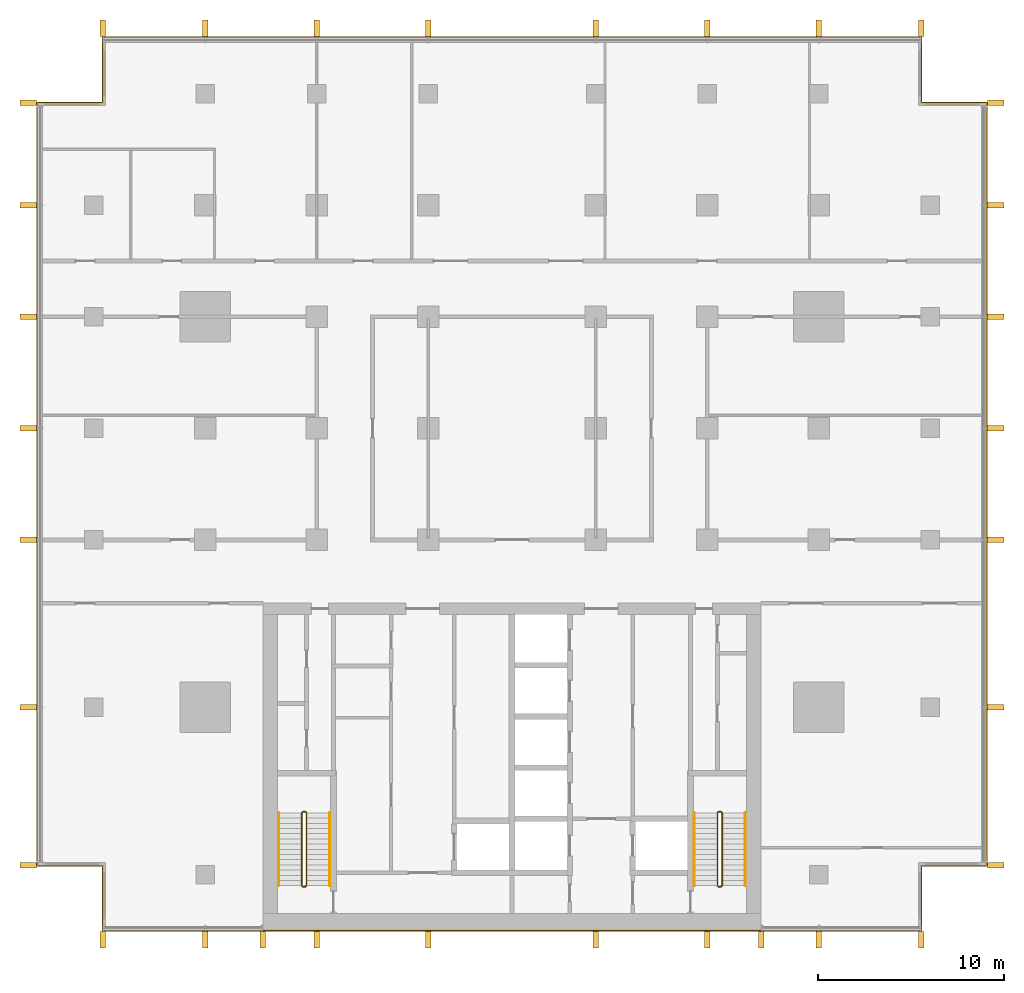
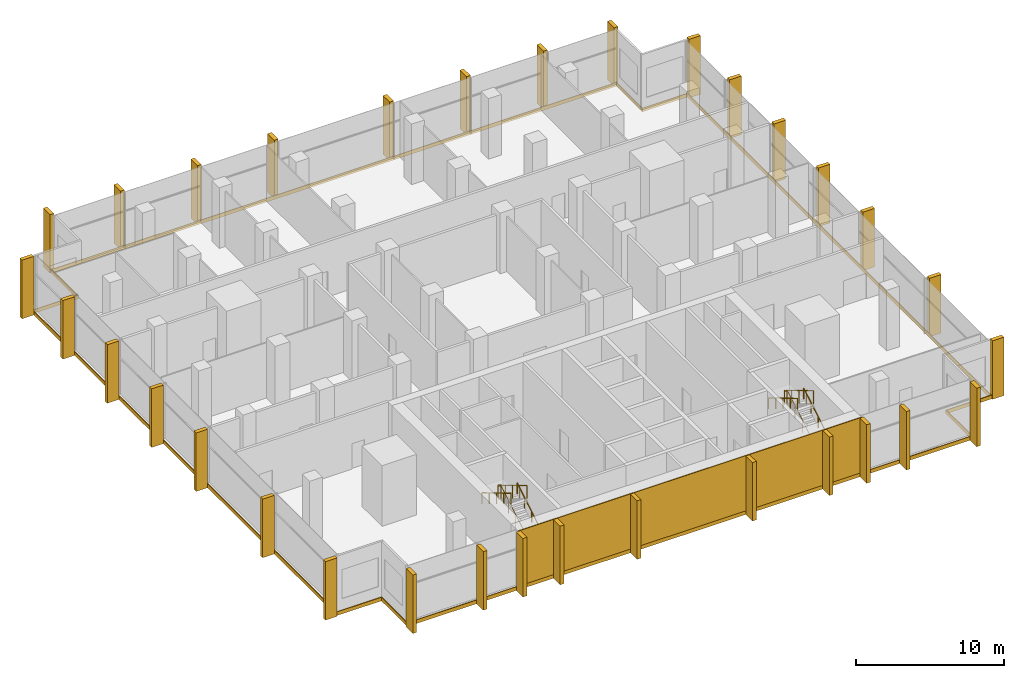
# One storey, part 15 of 15: 32 shading devices, 6 coverings, 6 railings.
"""IFC4 building model written with IfcOpenShell, lengths in metres."""

from ifc_helpers import new_model, si_unit, direction, frame, origin, origin_2d, place, context, subcontext, project, spatial, polyline, rectangle, circle, outline, extrude, material, layer, layer_set, type_object, element, save


model = new_model("IFC4")

# Units and contexts
model_context = context("Model", 3, precision=1e-05, world=origin(), true_north=direction((0.0, 1.0)))
body_context = subcontext(model_context, "Body", "Model", "MODEL_VIEW")
ifc_project = project(units=[si_unit("LENGTHUNIT", "METRE"), si_unit("AREAUNIT", "SQUARE_METRE"), si_unit("VOLUMEUNIT", "CUBIC_METRE"), si_unit("PLANEANGLEUNIT", "RADIAN"), si_unit("MASSUNIT", "GRAM", prefix="KILO")], contexts=[model_context])

# Site, building, storey
site_placement = place(None, origin())
site = spatial("IfcSite", under=ifc_project, at=site_placement, CompositionType="ELEMENT")
building_placement = place(site_placement, origin())
building = spatial("IfcBuilding", under=site, at=building_placement, Name="Finial Court Residences", CompositionType="ELEMENT")
storey_placement = place(building_placement, frame((0.0, 0.0, 138.89990234375)))
storey = spatial("IfcBuildingStorey", under=building, at=storey_placement, Name="L34", CompositionType="ELEMENT", Elevation=138.89990234375)

# Coverings
ifc_material_1 = material(Name="Natural limestone", Category="masonry")
ifc_layer_1 = layer(ifc_material_1, 0.06005859375)
ifc_layer_set_1 = layer_set([ifc_layer_1], Name="Limestone cladding to the blind core face 60")
covering_type_1 = type_object("IfcCoveringType", Name="Limestone cladding to the blind core face 60", PredefinedType="CLADDING", material=ifc_layer_set_1)
covering_1_placement = place(storey_placement, origin())
element("IfcCovering", 1, at=covering_1_placement, inside=storey, type_object=covering_type_1, Name="E-L34-CLAD1", PredefinedType="CLADDING", context=body_context, shape_type="SweptSolid", body=[
    extrude(outline(polyline([(-10.5, -25.56005859375), (-10.5, -25.5), (-13.39990234375, -25.5), (-13.39990234375, -25.56005859375), (-10.5, -25.56005859375)])), origin(), (0.0, 0.0, 1.0), 4.550048828125),
])
covering_2_placement = place(storey_placement, origin())
element("IfcCovering", 2, at=covering_2_placement, inside=storey, type_object=covering_type_1, Name="E-L34-CLAD2", PredefinedType="CLADDING", context=body_context, shape_type="SweptSolid", body=[
    extrude(outline(polyline([(-4.5, -25.56005859375), (-4.5, -25.5), (-10.5, -25.5), (-10.5, -25.56005859375), (-4.5, -25.56005859375)])), origin(), (0.0, 0.0, 1.0), 4.550048828125),
])
covering_3_placement = place(storey_placement, origin())
element("IfcCovering", 3, at=covering_3_placement, inside=storey, type_object=covering_type_1, Name="E-L34-CLAD3", PredefinedType="CLADDING", context=body_context, shape_type="SweptSolid", body=[
    extrude(outline(polyline([(4.5, -25.56005859375), (4.5, -25.5), (-4.5, -25.5), (-4.5, -25.56005859375), (4.5, -25.56005859375)])), origin(), (0.0, 0.0, 1.0), 4.550048828125),
])
covering_4_placement = place(storey_placement, origin())
element("IfcCovering", 4, at=covering_4_placement, inside=storey, type_object=covering_type_1, Name="E-L34-CLAD4", PredefinedType="CLADDING", context=body_context, shape_type="SweptSolid", body=[
    extrude(outline(polyline([(10.5, -25.56005859375), (10.5, -25.5), (4.5, -25.5), (4.5, -25.56005859375), (10.5, -25.56005859375)])), origin(), (0.0, 0.0, 1.0), 4.550048828125),
])
covering_5_placement = place(storey_placement, origin())
element("IfcCovering", 5, at=covering_5_placement, inside=storey, type_object=covering_type_1, Name="E-L34-CLAD5", PredefinedType="CLADDING", context=body_context, shape_type="SweptSolid", body=[
    extrude(outline(polyline([(13.39990234375, -25.56005859375), (13.39990234375, -25.5), (10.5, -25.5), (10.5, -25.56005859375), (13.39990234375, -25.56005859375)])), origin(), (0.0, 0.0, 1.0), 4.550048828125),
])

# Shading devices
shading_device_type = type_object("IfcShadingDeviceType", Name="Limestone fin 300 x 900", PredefinedType="USERDEFINED", material=ifc_material_1)
for number, where, z_axis, x_axis, name in (
    (6, (-22.0, 23.010009765625, -0.300048828125), (0.0, 0.0, 1.0), (1.0, 0.0, 0.0), "E-L34-FIN-N1"),
    (7, (-16.5, 23.010009765625, -0.300048828125), (0.0, 0.0, 1.0), (1.0, 0.0, 0.0), "E-L34-FIN-N2"),
    (8, (-10.5, 23.010009765625, -0.300048828125), (0.0, 0.0, 1.0), (1.0, 0.0, 0.0), "E-L34-FIN-N3"),
    (9, (-4.5, 23.010009765625, -0.300048828125), (0.0, 0.0, 1.0), (1.0, 0.0, 0.0), "E-L34-FIN-N4"),
    (10, (4.5, 23.010009765625, -0.300048828125), (0.0, 0.0, 1.0), (1.0, 0.0, 0.0), "E-L34-FIN-N5"),
    (11, (10.5, 23.010009765625, -0.300048828125), (0.0, 0.0, 1.0), (1.0, 0.0, 0.0), "E-L34-FIN-N6"),
    (12, (16.5, 23.010009765625, -0.300048828125), (0.0, 0.0, 1.0), (1.0, 0.0, 0.0), "E-L34-FIN-N7"),
    (13, (22.0, 23.010009765625, -0.300048828125), (0.0, 0.0, 1.0), (1.0, 0.0, 0.0), "E-L34-FIN-N8"),
):
    element("IfcShadingDevice", number, at=place(storey_placement, frame(where, z_axis=z_axis, x_axis=x_axis)), inside=storey, type_object=shading_device_type, Name=name, ObjectType="FIN", PredefinedType="USERDEFINED", context=body_context, shape_type="SweptSolid", body=[
        extrude(rectangle(XDim=0.300048828125, YDim=0.89990234375, at=origin_2d()), origin(), (0.0, 0.0, 1.0), 4.830078125),
    ])
for number, where, z_axis, x_axis, name in (
    (14, (26.010009765625, -22.0, -0.300048828125), (0.0, 0.0, 1.0), (1.0, 0.0, 0.0), "E-L34-FIN-E9"),
    (15, (26.010009765625, -13.5, -0.300048828125), (0.0, 0.0, 1.0), (1.0, 0.0, 0.0), "E-L34-FIN-E10"),
    (16, (26.010009765625, -4.5, -0.300048828125), (0.0, 0.0, 1.0), (1.0, 0.0, 0.0), "E-L34-FIN-E11"),
    (17, (26.010009765625, 1.5, -0.300048828125), (0.0, 0.0, 1.0), (1.0, 0.0, 0.0), "E-L34-FIN-E12"),
    (18, (26.010009765625, 7.5, -0.300048828125), (0.0, 0.0, 1.0), (1.0, 0.0, 0.0), "E-L34-FIN-E13"),
    (19, (26.010009765625, 13.5, -0.300048828125), (0.0, 0.0, 1.0), (1.0, 0.0, 0.0), "E-L34-FIN-E14"),
    (20, (26.010009765625, 19.0, -0.300048828125), (0.0, 0.0, 1.0), (1.0, 0.0, 0.0), "E-L34-FIN-E15"),
):
    element("IfcShadingDevice", number, at=place(storey_placement, frame(where, z_axis=z_axis, x_axis=x_axis)), inside=storey, type_object=shading_device_type, Name=name, ObjectType="FIN", PredefinedType="USERDEFINED", context=body_context, shape_type="SweptSolid", body=[
        extrude(rectangle(XDim=0.89990234375, YDim=0.300048828125, at=origin_2d()), origin(), (0.0, 0.0, 1.0), 4.830078125),
    ])
for number, where, z_axis, x_axis, name in (
    (21, (-22.0, -26.010009765625, -0.300048828125), (0.0, 0.0, 1.0), (1.0, 0.0, 0.0), "E-L34-FIN-S16"),
    (22, (-16.5, -26.010009765625, -0.300048828125), (0.0, 0.0, 1.0), (1.0, 0.0, 0.0), "E-L34-FIN-S17"),
    (23, (-13.39990234375, -26.010009765625, -0.300048828125), (0.0, 0.0, 1.0), (1.0, 0.0, 0.0), "E-L34-FIN-S18"),
    (24, (-10.5, -26.010009765625, -0.300048828125), (0.0, 0.0, 1.0), (1.0, 0.0, 0.0), "E-L34-FIN-S19"),
    (25, (-4.5, -26.010009765625, -0.300048828125), (0.0, 0.0, 1.0), (1.0, 0.0, 0.0), "E-L34-FIN-S20"),
    (26, (4.5, -26.010009765625, -0.300048828125), (0.0, 0.0, 1.0), (1.0, 0.0, 0.0), "E-L34-FIN-S21"),
    (27, (10.5, -26.010009765625, -0.300048828125), (0.0, 0.0, 1.0), (1.0, 0.0, 0.0), "E-L34-FIN-S22"),
    (28, (13.39990234375, -26.010009765625, -0.300048828125), (0.0, 0.0, 1.0), (1.0, 0.0, 0.0), "E-L34-FIN-S23"),
    (29, (16.5, -26.010009765625, -0.300048828125), (0.0, 0.0, 1.0), (1.0, 0.0, 0.0), "E-L34-FIN-S24"),
    (30, (22.0, -26.010009765625, -0.300048828125), (0.0, 0.0, 1.0), (1.0, 0.0, 0.0), "E-L34-FIN-S25"),
):
    element("IfcShadingDevice", number, at=place(storey_placement, frame(where, z_axis=z_axis, x_axis=x_axis)), inside=storey, type_object=shading_device_type, Name=name, ObjectType="FIN", PredefinedType="USERDEFINED", context=body_context, shape_type="SweptSolid", body=[
        extrude(rectangle(XDim=0.300048828125, YDim=0.89990234375, at=origin_2d()), origin(), (0.0, 0.0, 1.0), 4.830078125),
    ])
for number, where, z_axis, x_axis, name in (
    (31, (-26.010009765625, -22.0, -0.300048828125), (0.0, 0.0, 1.0), (1.0, 0.0, 0.0), "E-L34-FIN-W26"),
    (32, (-26.010009765625, -13.5, -0.300048828125), (0.0, 0.0, 1.0), (1.0, 0.0, 0.0), "E-L34-FIN-W27"),
    (33, (-26.010009765625, -4.5, -0.300048828125), (0.0, 0.0, 1.0), (1.0, 0.0, 0.0), "E-L34-FIN-W28"),
    (34, (-26.010009765625, 1.5, -0.300048828125), (0.0, 0.0, 1.0), (1.0, 0.0, 0.0), "E-L34-FIN-W29"),
    (35, (-26.010009765625, 7.5, -0.300048828125), (0.0, 0.0, 1.0), (1.0, 0.0, 0.0), "E-L34-FIN-W30"),
    (36, (-26.010009765625, 13.5, -0.300048828125), (0.0, 0.0, 1.0), (1.0, 0.0, 0.0), "E-L34-FIN-W31"),
    (37, (-26.010009765625, 19.0, -0.300048828125), (0.0, 0.0, 1.0), (1.0, 0.0, 0.0), "E-L34-FIN-W32"),
):
    element("IfcShadingDevice", number, at=place(storey_placement, frame(where, z_axis=z_axis, x_axis=x_axis)), inside=storey, type_object=shading_device_type, Name=name, ObjectType="FIN", PredefinedType="USERDEFINED", context=body_context, shape_type="SweptSolid", body=[
        extrude(rectangle(XDim=0.89990234375, YDim=0.300048828125, at=origin_2d()), origin(), (0.0, 0.0, 1.0), 4.830078125),
    ])

# Covering
ifc_material_2 = material(Name="Pale limestone", Category="masonry")
ifc_layer_2 = layer(ifc_material_2, 0.06005859375)
ifc_layer_set_2 = layer_set([ifc_layer_2], Name="Pale limestone slab-edge band 60")
covering_type_2 = type_object("IfcCoveringType", Name="Pale limestone slab-edge band 60", PredefinedType="CLADDING", material=ifc_layer_set_2)
covering_6_placement = place(storey_placement, frame((0.0, 0.0, -0.2998046875)))
element("IfcCovering", 38, at=covering_6_placement, inside=storey, type_object=covering_type_2, Name="E-L34-BAND1", PredefinedType="CLADDING", context=body_context, shape_type="SweptSolid", body=[
    extrude(outline(polyline([(22.06005859375, -25.56005859375), (-22.06005859375, -25.56005859375), (-22.06005859375, -22.06005859375), (-25.56005859375, -22.06005859375), (-25.56005859375, 19.06005859375), (-22.06005859375, 19.06005859375), (-22.06005859375, 22.56005859375), (22.06005859375, 22.56005859375), (22.06005859375, 19.06005859375), (25.56005859375, 19.06005859375), (25.56005859375, -22.06005859375), (22.06005859375, -22.06005859375), (22.06005859375, -25.56005859375)]), holes=[polyline([(25.5, -22.0), (25.5, 19.0), (22.0, 19.0), (22.0, 22.5), (-22.0, 22.5), (-22.0, 19.0), (-25.5, 19.0), (-25.5, -22.0), (-22.0, -22.0), (-22.0, -25.5), (22.0, -25.5), (22.0, -22.0), (25.5, -22.0)])]), origin(), (0.0, 0.0, 1.0), 0.2998046875),
])

# Railings
ifc_material_3 = material(Name="Stainless steel railing", Category="steel")
railing_type_1 = type_object("IfcRailingType", Name="Stair guard 1100", PredefinedType="GUARDRAIL", material=ifc_material_3)
railing_1_placement = place(storey_placement, frame((-11.10009765625, -23.14990234375, 0.0)))
element("IfcRailing", 39, at=railing_1_placement, inside=storey, type_object=railing_type_1, Name="L34 ST-1 stair guard 1", PredefinedType="GUARDRAIL", context=body_context, shape_type="SweptSolid", body=[
    extrude(circle(Radius=0.02392578125, at=origin_2d()), frame((0.0, 0.0, 1.076171875), z_axis=(-1.0, 0.0, 0.0), x_axis=(0.0, -1.0, 0.0)), (0.0, 0.0, 1.0), 0.14990234375),
    extrude(circle(Radius=0.02392578125, at=origin_2d()), frame((-0.14990234375, 0.0, 1.076171875), z_axis=(0.754313153044, 0.1878875253, 0.629054802844), x_axis=(-0.241699205484, 0.970351222016, 0.0)), (0.0, 0.0, 1.0), 0.26513671875),
    extrude(circle(Radius=0.02392578125, at=origin_2d()), frame((0.050048828125, 0.0498046875, 1.24267578125), z_axis=(0.0, 0.859310244771, 0.511454693235), x_axis=(-1.0, 0.0, 0.0)), (0.0, 0.0, 1.0), 4.56201171875),
    extrude(circle(Radius=0.02392578125, at=origin_2d()), frame((0.050048828125, 3.969970703125, 3.576171875), z_axis=(-0.707106781187, 0.707106781187, 0.0), x_axis=(-0.707106781187, -0.707106781187, 0.0)), (0.0, 0.0, 1.0), 0.07080078125),
    extrude(circle(Radius=0.02392578125, at=origin_2d()), frame((0.0, 4.02001953125, 3.576171875), z_axis=(-1.0, 0.0, 0.0), x_axis=(0.0, -1.0, 0.0)), (0.0, 0.0, 1.0), 0.14990234375),
    extrude(circle(Radius=0.02392578125, at=origin_2d()), frame((-0.14990234375, 4.02001953125, 3.576171875), z_axis=(-0.27628659633, -0.27628659633, 0.920506074601), x_axis=(0.707106781187, -0.707106781187, 0.0)), (0.0, 0.0, 1.0), 0.18115234375),
    extrude(circle(Radius=0.02392578125, at=origin_2d()), frame((-0.199951171875, 3.969970703125, 3.74267578125), z_axis=(0.0, -0.859310244771, 0.511454693235), x_axis=(1.0, 0.0, 0.0)), (0.0, 0.0, 1.0), 4.56201171875),
    extrude(circle(Radius=0.02099609375, at=origin_2d()), origin(), (0.0, 0.0, 1.0), 1.052001953125),
    extrude(circle(Radius=0.02099609375, at=origin_2d()), frame((-0.14990234375, 0.0, 0.0)), (0.0, 0.0, 1.0), 1.052001953125),
    extrude(circle(Radius=0.02099609375, at=origin_2d()), frame((0.050048828125, 0.0498046875, 0.166748046875)), (0.0, 0.0, 1.0), 1.052001953125),
    extrude(circle(Radius=0.02099609375, at=origin_2d()), frame((0.050048828125, 1.02978515625, 0.75)), (0.0, 0.0, 1.0), 1.052001953125),
    extrude(circle(Radius=0.02099609375, at=origin_2d()), frame((0.050048828125, 2.009765625, 1.33349609375)), (0.0, 0.0, 1.0), 1.052001953125),
    extrude(circle(Radius=0.02099609375, at=origin_2d()), frame((0.050048828125, 2.989990234375, 1.916748046875)), (0.0, 0.0, 1.0), 1.052001953125),
    extrude(circle(Radius=0.02099609375, at=origin_2d()), frame((0.050048828125, 3.969970703125, 2.5)), (0.0, 0.0, 1.0), 1.052001953125),
    extrude(circle(Radius=0.02099609375, at=origin_2d()), frame((0.0, 4.02001953125, 2.5)), (0.0, 0.0, 1.0), 1.052001953125),
    extrude(circle(Radius=0.02099609375, at=origin_2d()), frame((-0.14990234375, 4.02001953125, 2.5)), (0.0, 0.0, 1.0), 1.052001953125),
    extrude(circle(Radius=0.02099609375, at=origin_2d()), frame((-0.199951171875, 3.969970703125, 2.666748046875)), (0.0, 0.0, 1.0), 1.052001953125),
    extrude(circle(Radius=0.02099609375, at=origin_2d()), frame((-0.199951171875, 2.989990234375, 3.25)), (0.0, 0.0, 1.0), 1.052001953125),
    extrude(circle(Radius=0.02099609375, at=origin_2d()), frame((-0.199951171875, 2.009765625, 3.83349609375)), (0.0, 0.0, 1.0), 1.052001953125),
    extrude(circle(Radius=0.02099609375, at=origin_2d()), frame((-0.199951171875, 1.02978515625, 4.416748046875)), (0.0, 0.0, 1.0), 1.052001953125),
    extrude(circle(Radius=0.02099609375, at=origin_2d()), frame((-0.199951171875, 0.0498046875, 5.0)), (0.0, 0.0, 1.0), 1.052001953125),
])
railing_2_placement = place(storey_placement, frame((11.25, -23.14990234375, 0.0)))
element("IfcRailing", 40, at=railing_2_placement, inside=storey, type_object=railing_type_1, Name="L34 ST-2 stair guard 1", PredefinedType="GUARDRAIL", context=body_context, shape_type="SweptSolid", body=[
    extrude(circle(Radius=0.02392578125, at=origin_2d()), frame((0.0, 0.0, 1.076171875), z_axis=(-1.0, 0.0, 0.0), x_axis=(0.0, -1.0, 0.0)), (0.0, 0.0, 1.0), 0.14990234375),
    extrude(circle(Radius=0.02392578125, at=origin_2d()), frame((-0.14990234375, 0.0, 1.076171875), z_axis=(0.754313153044, 0.1878875253, 0.629054802844), x_axis=(-0.241699205484, 0.970351222016, 0.0)), (0.0, 0.0, 1.0), 0.26513671875),
    extrude(circle(Radius=0.02392578125, at=origin_2d()), frame((0.050048828125, 0.0498046875, 1.24267578125), z_axis=(0.0, 0.859310244771, 0.511454693235), x_axis=(-1.0, 0.0, 0.0)), (0.0, 0.0, 1.0), 4.56201171875),
    extrude(circle(Radius=0.02392578125, at=origin_2d()), frame((0.050048828125, 3.969970703125, 3.576171875), z_axis=(-0.707106781187, 0.707106781187, 0.0), x_axis=(-0.707106781187, -0.707106781187, 0.0)), (0.0, 0.0, 1.0), 0.07080078125),
    extrude(circle(Radius=0.02392578125, at=origin_2d()), frame((0.0, 4.02001953125, 3.576171875), z_axis=(-1.0, 0.0, 0.0), x_axis=(0.0, -1.0, 0.0)), (0.0, 0.0, 1.0), 0.14990234375),
    extrude(circle(Radius=0.02392578125, at=origin_2d()), frame((-0.14990234375, 4.02001953125, 3.576171875), z_axis=(-0.27628659633, -0.27628659633, 0.920506074601), x_axis=(0.707106781187, -0.707106781187, 0.0)), (0.0, 0.0, 1.0), 0.18115234375),
    extrude(circle(Radius=0.02392578125, at=origin_2d()), frame((-0.199951171875, 3.969970703125, 3.74267578125), z_axis=(0.0, -0.859310244771, 0.511454693235), x_axis=(1.0, 0.0, 0.0)), (0.0, 0.0, 1.0), 4.56201171875),
    extrude(circle(Radius=0.02099609375, at=origin_2d()), origin(), (0.0, 0.0, 1.0), 1.052001953125),
    extrude(circle(Radius=0.02099609375, at=origin_2d()), frame((-0.14990234375, 0.0, 0.0)), (0.0, 0.0, 1.0), 1.052001953125),
    extrude(circle(Radius=0.02099609375, at=origin_2d()), frame((0.050048828125, 0.0498046875, 0.166748046875)), (0.0, 0.0, 1.0), 1.052001953125),
    extrude(circle(Radius=0.02099609375, at=origin_2d()), frame((0.050048828125, 1.02978515625, 0.75)), (0.0, 0.0, 1.0), 1.052001953125),
    extrude(circle(Radius=0.02099609375, at=origin_2d()), frame((0.050048828125, 2.009765625, 1.33349609375)), (0.0, 0.0, 1.0), 1.052001953125),
    extrude(circle(Radius=0.02099609375, at=origin_2d()), frame((0.050048828125, 2.989990234375, 1.916748046875)), (0.0, 0.0, 1.0), 1.052001953125),
    extrude(circle(Radius=0.02099609375, at=origin_2d()), frame((0.050048828125, 3.969970703125, 2.5)), (0.0, 0.0, 1.0), 1.052001953125),
    extrude(circle(Radius=0.02099609375, at=origin_2d()), frame((0.0, 4.02001953125, 2.5)), (0.0, 0.0, 1.0), 1.052001953125),
    extrude(circle(Radius=0.02099609375, at=origin_2d()), frame((-0.14990234375, 4.02001953125, 2.5)), (0.0, 0.0, 1.0), 1.052001953125),
    extrude(circle(Radius=0.02099609375, at=origin_2d()), frame((-0.199951171875, 3.969970703125, 2.666748046875)), (0.0, 0.0, 1.0), 1.052001953125),
    extrude(circle(Radius=0.02099609375, at=origin_2d()), frame((-0.199951171875, 2.989990234375, 3.25)), (0.0, 0.0, 1.0), 1.052001953125),
    extrude(circle(Radius=0.02099609375, at=origin_2d()), frame((-0.199951171875, 2.009765625, 3.83349609375)), (0.0, 0.0, 1.0), 1.052001953125),
    extrude(circle(Radius=0.02099609375, at=origin_2d()), frame((-0.199951171875, 1.02978515625, 4.416748046875)), (0.0, 0.0, 1.0), 1.052001953125),
    extrude(circle(Radius=0.02099609375, at=origin_2d()), frame((-0.199951171875, 0.0498046875, 5.0)), (0.0, 0.0, 1.0), 1.052001953125),
])
railing_type_2 = type_object("IfcRailingType", Name="Stair handrail 900", PredefinedType="HANDRAIL", material=ifc_material_3)
railing_3_placement = place(storey_placement, frame((-9.800048828125, -23.10009765625, 0.166748046875)))
element("IfcRailing", 41, at=railing_3_placement, inside=storey, type_object=railing_type_2, Name="L34 ST-1 stair handrail 1", PredefinedType="HANDRAIL", context=body_context, shape_type="SweptSolid", body=[
    extrude(circle(Radius=0.02392578125, at=origin_2d()), frame((0.0, 0.0, 0.8759765625), z_axis=(0.0, 0.859310244771, 0.511454693235), x_axis=(-1.0, 0.0, 0.0)), (0.0, 0.0, 1.0), 4.56201171875),
    extrude(circle(Radius=0.02099609375, at=origin_2d()), origin(), (0.0, 0.0, 1.0), 0.851806640625),
    extrude(circle(Radius=0.02099609375, at=origin_2d()), frame((0.0, 0.97998046875, 0.583251953125)), (0.0, 0.0, 1.0), 0.851806640625),
    extrude(circle(Radius=0.02099609375, at=origin_2d()), frame((0.0, 1.9599609375, 1.16650390625)), (0.0, 0.0, 1.0), 0.851806640625),
    extrude(circle(Radius=0.02099609375, at=origin_2d()), frame((0.0, 2.940185546875, 1.75)), (0.0, 0.0, 1.0), 0.851806640625),
    extrude(circle(Radius=0.02099609375, at=origin_2d()), frame((0.0, 3.920166015625, 2.333251953125)), (0.0, 0.0, 1.0), 0.851806640625),
])
railing_4_placement = place(storey_placement, frame((-12.550048828125, -19.179931640625, 2.666748046875)))
element("IfcRailing", 42, at=railing_4_placement, inside=storey, type_object=railing_type_2, Name="L34 ST-1 stair handrail 2", PredefinedType="HANDRAIL", context=body_context, shape_type="SweptSolid", body=[
    extrude(circle(Radius=0.02392578125, at=origin_2d()), frame((0.0, 0.0, 0.8759765625), z_axis=(0.0, -0.859310244771, 0.511454693235), x_axis=(1.0, 0.0, 0.0)), (0.0, 0.0, 1.0), 4.56201171875),
    extrude(circle(Radius=0.02099609375, at=origin_2d()), origin(), (0.0, 0.0, 1.0), 0.851806640625),
    extrude(circle(Radius=0.02099609375, at=origin_2d()), frame((0.0, -0.97998046875, 0.583251953125)), (0.0, 0.0, 1.0), 0.851806640625),
    extrude(circle(Radius=0.02099609375, at=origin_2d()), frame((0.0, -1.9599609375, 1.16650390625)), (0.0, 0.0, 1.0), 0.851806640625),
    extrude(circle(Radius=0.02099609375, at=origin_2d()), frame((0.0, -2.940185546875, 1.75)), (0.0, 0.0, 1.0), 0.851806640625),
    extrude(circle(Radius=0.02099609375, at=origin_2d()), frame((0.0, -3.920166015625, 2.333251953125)), (0.0, 0.0, 1.0), 0.851806640625),
])
railing_5_placement = place(storey_placement, frame((12.550048828125, -23.10009765625, 0.166748046875)))
element("IfcRailing", 43, at=railing_5_placement, inside=storey, type_object=railing_type_2, Name="L34 ST-2 stair handrail 1", PredefinedType="HANDRAIL", context=body_context, shape_type="SweptSolid", body=[
    extrude(circle(Radius=0.02392578125, at=origin_2d()), frame((0.0, 0.0, 0.8759765625), z_axis=(0.0, 0.859310244771, 0.511454693235), x_axis=(-1.0, 0.0, 0.0)), (0.0, 0.0, 1.0), 4.56201171875),
    extrude(circle(Radius=0.02099609375, at=origin_2d()), origin(), (0.0, 0.0, 1.0), 0.851806640625),
    extrude(circle(Radius=0.02099609375, at=origin_2d()), frame((0.0, 0.97998046875, 0.583251953125)), (0.0, 0.0, 1.0), 0.851806640625),
    extrude(circle(Radius=0.02099609375, at=origin_2d()), frame((0.0, 1.9599609375, 1.16650390625)), (0.0, 0.0, 1.0), 0.851806640625),
    extrude(circle(Radius=0.02099609375, at=origin_2d()), frame((0.0, 2.940185546875, 1.75)), (0.0, 0.0, 1.0), 0.851806640625),
    extrude(circle(Radius=0.02099609375, at=origin_2d()), frame((0.0, 3.920166015625, 2.333251953125)), (0.0, 0.0, 1.0), 0.851806640625),
])
railing_6_placement = place(storey_placement, frame((9.800048828125, -19.179931640625, 2.666748046875)))
element("IfcRailing", 44, at=railing_6_placement, inside=storey, type_object=railing_type_2, Name="L34 ST-2 stair handrail 2", PredefinedType="HANDRAIL", context=body_context, shape_type="SweptSolid", body=[
    extrude(circle(Radius=0.02392578125, at=origin_2d()), frame((0.0, 0.0, 0.8759765625), z_axis=(0.0, -0.859310244771, 0.511454693235), x_axis=(1.0, 0.0, 0.0)), (0.0, 0.0, 1.0), 4.56201171875),
    extrude(circle(Radius=0.02099609375, at=origin_2d()), origin(), (0.0, 0.0, 1.0), 0.851806640625),
    extrude(circle(Radius=0.02099609375, at=origin_2d()), frame((0.0, -0.97998046875, 0.583251953125)), (0.0, 0.0, 1.0), 0.851806640625),
    extrude(circle(Radius=0.02099609375, at=origin_2d()), frame((0.0, -1.9599609375, 1.16650390625)), (0.0, 0.0, 1.0), 0.851806640625),
    extrude(circle(Radius=0.02099609375, at=origin_2d()), frame((0.0, -2.940185546875, 1.75)), (0.0, 0.0, 1.0), 0.851806640625),
    extrude(circle(Radius=0.02099609375, at=origin_2d()), frame((0.0, -3.920166015625, 2.333251953125)), (0.0, 0.0, 1.0), 0.851806640625),
])

save(model, "model.ifc")
